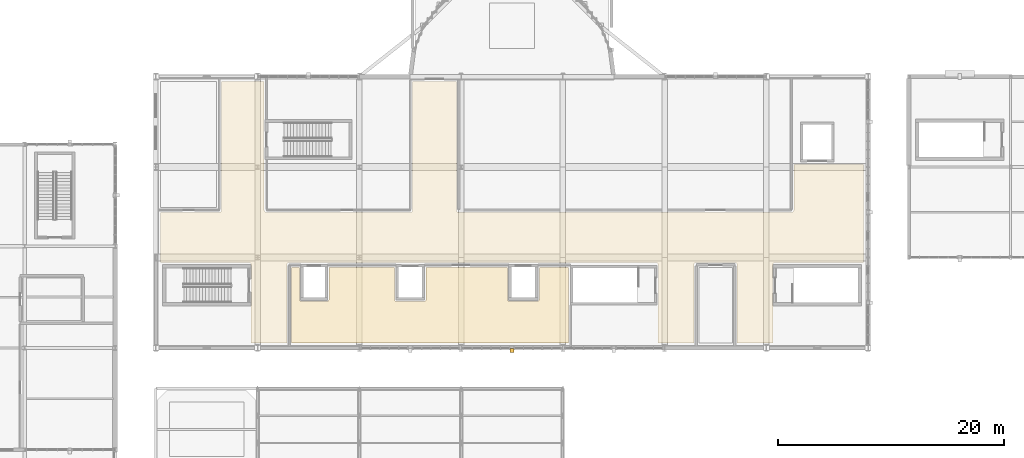
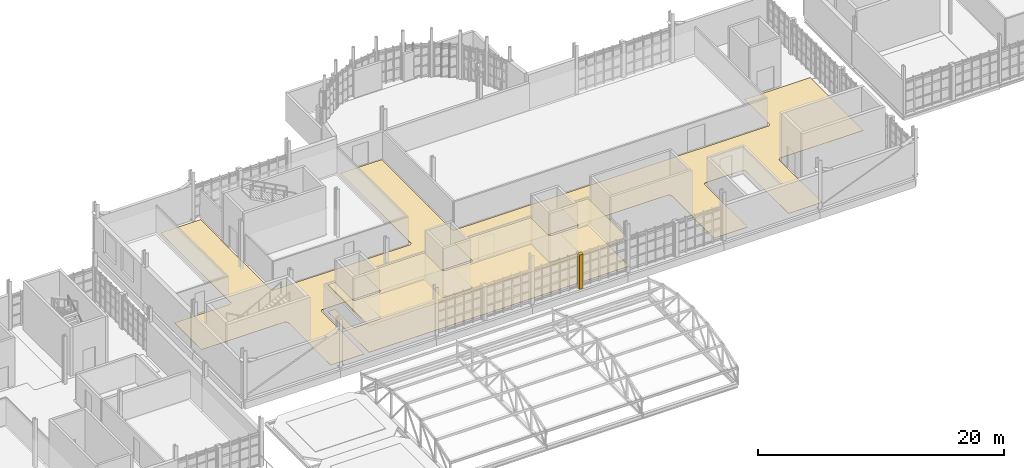
# One storey, part 123 of 128: 4 coverings.
"""IFC4 building model written with IfcOpenShell, lengths in metres."""

import ifcopenshell
import ifcopenshell.guid

model = None  # the IFC model being written
_history = None  # IfcOwnerHistory: only IFC2X3 demands one
_inside = {}  # id of a spatial element -> (the spatial element, [elements in it])
_under = {}  # id of a project, library or spatial element -> (it, [spatial elements below it])
_declared = {}  # id of a project -> (the project, [libraries it declares])
_typed = {}  # id of a type object -> (the type object, [elements of that type])
_made_of = {}  # id of a material, layer set ... -> (it, [elements and type objects made of it])


def new_model(schema):
    """Start an empty IFC model of exactly this schema.

    Asked for "IFC4X3", IfcOpenShell would pick the latest addendum, in which some entities
    have other attributes; the version numbers below select the first issue.
    IFC2X3 requires an IfcOwnerHistory on every rooted entity: one is made here for all.
    """
    global model, _history
    if schema == "IFC4X3":
        model = ifcopenshell.file(schema_version=(4, 3, 0, 0))
    else:
        model = ifcopenshell.file(schema=schema)
    _inside.clear()
    _under.clear()
    _declared.clear()
    _typed.clear()
    _made_of.clear()
    _history = None
    if model.schema == "IFC2X3":
        org = make("IfcOrganization", Name="unknown")
        user = make(
            "IfcPersonAndOrganization",
            ThePerson=make("IfcPerson", FamilyName="unknown"),
            TheOrganization=org,
        )
        app = make(
            "IfcApplication",
            ApplicationDeveloper=org,
            Version="unknown",
            ApplicationFullName="unknown",
            ApplicationIdentifier="unknown",
        )
        _history = make(
            "IfcOwnerHistory",
            OwningUser=user,
            OwningApplication=app,
            ChangeAction="ADDED",
            CreationDate=0,
        )
    return model


def make(cls, **values):
    """One entity of the class cls with the attributes given. An attribute that is None is left unset."""
    return model.create_entity(
        cls, **{name: value for name, value in values.items() if value is not None}
    )


def rooted(cls, **values):
    """An entity with a GlobalId (a new one), such as an element, a storey or a relation."""
    return make(cls, GlobalId=ifcopenshell.guid.new(), OwnerHistory=_history, **values)


def si_unit(unit_type, name, prefix=None):
    """IfcSIUnit, for example si_unit("LENGTHUNIT", "METRE", prefix="MILLI")."""
    return make("IfcSIUnit", UnitType=unit_type, Prefix=prefix, Name=name)


def assignment(units):
    """IfcUnitAssignment: the units of a project."""
    return None if units is None else make("IfcUnitAssignment", Units=units)


def point(xyz):
    """IfcCartesianPoint."""
    return None if xyz is None else make("IfcCartesianPoint", Coordinates=xyz)


def direction(xyz):
    """IfcDirection."""
    return None if xyz is None else make("IfcDirection", DirectionRatios=xyz)


def frame(location, z_axis=None, x_axis=None):
    """IfcAxis2Placement3D, a coordinate frame: its origin and axes. An axis left out is left unset."""
    return make(
        "IfcAxis2Placement3D",
        Location=point(location),
        Axis=direction(z_axis),
        RefDirection=direction(x_axis),
    )


def origin():
    """The frame at (0, 0, 0) with its axes left unset."""
    return frame((0.0, 0.0, 0.0))


def place(relative_to, where):
    """IfcLocalPlacement: puts the frame where relative to a parent placement (None: the world)."""
    return make(
        "IfcLocalPlacement", PlacementRelTo=relative_to, RelativePlacement=where
    )


def context(
    kind, dimensions, precision=None, world=None, true_north=None, identifier=None
):
    """IfcGeometricRepresentationContext, for example the 3D "Model" context."""
    return make(
        "IfcGeometricRepresentationContext",
        ContextIdentifier=identifier,
        ContextType=kind,
        CoordinateSpaceDimension=dimensions,
        Precision=precision,
        WorldCoordinateSystem=world,
        TrueNorth=true_north,
    )


def subcontext(parent, identifier, kind, view, scale=None):
    """IfcGeometricRepresentationSubContext, for example "Body" below "Model"."""
    return make(
        "IfcGeometricRepresentationSubContext",
        ContextIdentifier=identifier,
        ContextType=kind,
        ParentContext=parent,
        TargetScale=scale,
        TargetView=view,
    )


def project(units=None, contexts=None):
    """IfcProject with its units and contexts."""
    return rooted(
        "IfcProject",
        Name="project",
        RepresentationContexts=contexts,
        UnitsInContext=assignment(units),
    )


def spatial(cls, under=None, at=None, **own):
    """A site, building, storey or space (cls), placed at a placement, below another one or the project."""
    s = rooted(cls, ObjectPlacement=at, **own)
    if under is not None:
        _under.setdefault(under.id(), (under, []))[1].append(s)
    return s


def polyline(points):
    """IfcPolyline through the points."""
    return make("IfcPolyline", Points=[point(p) for p in points])


def outline(outer, holes=None, kind="AREA"):
    """IfcArbitraryClosedProfileDef: a profile drawn as a closed curve; with holes, ...WithVoids."""
    if holes is None:
        return make("IfcArbitraryClosedProfileDef", ProfileType=kind, OuterCurve=outer)
    return make(
        "IfcArbitraryProfileDefWithVoids",
        ProfileType=kind,
        OuterCurve=outer,
        InnerCurves=holes,
    )


def extrude(swept, where, along, depth):
    """IfcExtrudedAreaSolid: the profile swept, set in the frame where, extruded along a direction by depth."""
    return make(
        "IfcExtrudedAreaSolid",
        SweptArea=swept,
        Position=where,
        ExtrudedDirection=direction(along),
        Depth=depth,
    )


def shape(context_of_items, identifier, shape_type, items):
    """IfcShapeRepresentation: the items that make up one representation, for example the "Body"."""
    return make(
        "IfcShapeRepresentation",
        ContextOfItems=context_of_items,
        RepresentationIdentifier=identifier,
        RepresentationType=shape_type,
        Items=items,
    )


def material(Name=None, Category=None):
    """IfcMaterial."""
    return make("IfcMaterial", Name=Name, Category=Category)


def layer(
    of_material, thickness, ventilated=None, Name=None, Category=None, Priority=None
):
    """IfcMaterialLayer: one layer of a wall or slab, of a material (None: an air gap)."""
    return make(
        "IfcMaterialLayer",
        Material=of_material,
        LayerThickness=thickness,
        IsVentilated=ventilated,
        Name=Name,
        Category=Category,
        Priority=Priority,
    )


def layer_set(layers, Name=None):
    """IfcMaterialLayerSet."""
    return make("IfcMaterialLayerSet", MaterialLayers=layers, LayerSetName=Name)


def made_of(thing, what):
    """Note that an element or type object is made of a material, layer set ...; save() writes the relation."""
    if what is not None:
        _made_of.setdefault(what.id(), (what, []))[1].append(thing)
    return thing


def type_object(cls, material=None, **own):
    """A type object (cls), such as IfcWallType, which elements share."""
    return made_of(rooted(cls, **own), material)


def element(
    cls,
    number,
    at=None,
    inside=None,
    cuts=None,
    type_object=None,
    material=None,
    context=None,
    identifier="Body",
    shape_type=None,
    held_by="IfcProductDefinitionShape",
    body=None,
    shapes=None,
    **own,
):
    """One element of the class cls, such as IfcWall. Its Tag is "e" and its number.

    at: its placement. inside: the storey or other place that contains it. cuts: it is an
    opening in that element (IfcRelVoidsElement). A single representation is given by context,
    identifier, shape_type and body (its items); several are given by shapes. held_by: the class
    of the entity that holds the representations. save() writes the other relations.
    """
    e = rooted(cls, Tag="e%d" % number, ObjectPlacement=at, **own)
    if body is not None:
        shapes = [shape(context, identifier, shape_type, body)]
    if shapes is not None:
        e.Representation = make(held_by, Representations=shapes)
    if inside is not None:
        _inside.setdefault(inside.id(), (inside, []))[1].append(e)
    if cuts is not None:
        rooted(
            "IfcRelVoidsElement", RelatingBuildingElement=cuts, RelatedOpeningElement=e
        )
    if type_object is not None:
        _typed.setdefault(type_object.id(), (type_object, []))[1].append(e)
    return made_of(e, material)


def aggregate(whole, parts):
    """IfcRelAggregates: a whole, such as a stair, and the parts it consists of."""
    return rooted("IfcRelAggregates", RelatingObject=whole, RelatedObjects=parts)


def save(model, path):
    """Write the relations noted so far, then the file.

    IfcRelAggregates (storeys below a building ...), IfcRelContainedInSpatialStructure (elements
    in a storey), IfcRelDefinesByType, IfcRelAssociatesMaterial and IfcRelDeclares: one each for
    every whole, place, type object, material and project.
    """
    for whole, parts in _under.values():
        aggregate(whole, parts)
    for where, things in _inside.values():
        rooted(
            "IfcRelContainedInSpatialStructure",
            RelatedElements=things,
            RelatingStructure=where,
        )
    for kind, things in _typed.values():
        rooted("IfcRelDefinesByType", RelatedObjects=things, RelatingType=kind)
    for what, things in _made_of.values():
        rooted("IfcRelAssociatesMaterial", RelatedObjects=things, RelatingMaterial=what)
    for by, libraries in _declared.values():
        rooted("IfcRelDeclares", RelatingContext=by, RelatedDefinitions=libraries)
    model.write(path)


model = new_model("IFC4")

# Units and contexts
model_context = context("Model", 3, precision=1e-05, world=origin(), true_north=direction((0.0, 1.0)))
body_context = subcontext(model_context, "Body", "Model", "MODEL_VIEW")
ifc_project = project(units=[si_unit("LENGTHUNIT", "METRE"), si_unit("AREAUNIT", "SQUARE_METRE"), si_unit("VOLUMEUNIT", "CUBIC_METRE"), si_unit("PLANEANGLEUNIT", "RADIAN"), si_unit("MASSUNIT", "GRAM", prefix="KILO")], contexts=[model_context])

# Site, building, storey
site_placement = place(None, origin())
site = spatial("IfcSite", under=ifc_project, at=site_placement, CompositionType="ELEMENT")
building_placement = place(site_placement, origin())
building = spatial("IfcBuilding", under=site, at=building_placement, Name="Serraforn Aerial Cableway Station", CompositionType="ELEMENT")
storey_placement = place(building_placement, frame((0.0, 0.0, 9.0)))
storey = spatial("IfcBuildingStorey", under=building, at=storey_placement, Name="L02", CompositionType="ELEMENT", Elevation=9.0)

# Coverings
ifc_material_1 = material(Name="Fluted patinated bronze Art Deco pilaster cladding")
ifc_layer_1 = layer(ifc_material_1, 0.034912109375)
ifc_layer_set_1 = layer_set([ifc_layer_1], Name="Fluted patinated bronze Art Deco pilaster cladding")
covering_type_1 = type_object("IfcCoveringType", Name="COV-CLAD-BRZ", PredefinedType="CLADDING", material=ifc_layer_set_1)
covering_1_placement = place(storey_placement, origin())
element("IfcCovering", 1, at=covering_1_placement, inside=storey, type_object=covering_type_1, Name="Art Deco Bronze Pilaster Cladding CV-L02-S4", PredefinedType="CLADDING", context=body_context, shape_type="SweptSolid", body=[
    extrude(outline(polyline([(58.93994140625, 17.6201171875), (59.260009765625, 17.6201171875), (59.260009765625, 17.93994140625), (58.93994140625, 17.93994140625), (58.93994140625, 17.6201171875)])), origin(), (0.0, 0.0, 1.0), 3.419921875),
])
ifc_material_2 = material(Name="Perforated acoustic mineral ceiling")
ifc_layer_2 = layer(ifc_material_2, 0.02490234375)
ifc_layer_set_2 = layer_set([ifc_layer_2], Name="Perforated acoustic mineral ceiling")
covering_type_2 = type_object("IfcCoveringType", Name="COV-CLG-AC", PredefinedType="CEILING", material=ifc_layer_set_2)
covering_2_placement = place(storey_placement, frame((0.0, 0.0, 2.659912109375)))
element("IfcCovering", 2, at=covering_2_placement, inside=storey, type_object=covering_type_2, Name="Suspended Ceiling L02-07", PredefinedType="CEILING", context=body_context, shape_type="SweptSolid", body=[
    extrude(outline(polyline([(39.6201171875, 18.419921875), (39.6201171875, 25.1298828125), (40.2900390625, 25.1298828125), (40.2900390625, 22.31005859375), (40.291015625, 22.288330078125), (40.294189453125, 22.26708984375), (40.299560546875, 22.24609375), (40.306640625, 22.225830078125), (40.31591796875, 22.206298828125), (40.3271484375, 22.187744140625), (40.33984375, 22.17041015625), (40.3544921875, 22.154296875), (40.370361328125, 22.139892578125), (40.3876953125, 22.127197265625), (40.40625, 22.115966796875), (40.42578125, 22.106689453125), (40.446044921875, 22.099609375), (40.467041015625, 22.09423828125), (40.48828125, 22.091064453125), (40.510009765625, 22.090087890625), (42.68994140625, 22.090087890625), (42.711669921875, 22.091064453125), (42.73291015625, 22.09423828125), (42.75390625, 22.099609375), (42.774169921875, 22.106689453125), (42.793701171875, 22.115966796875), (42.812255859375, 22.127197265625), (42.82958984375, 22.139892578125), (42.845703125, 22.154296875), (42.860107421875, 22.17041015625), (42.872802734375, 22.187744140625), (42.884033203125, 22.206298828125), (42.893310546875, 22.225830078125), (42.900390625, 22.24609375), (42.90576171875, 22.26708984375), (42.908935546875, 22.288330078125), (42.909912109375, 22.31005859375), (42.909912109375, 25.1298828125), (48.68994140625, 25.1298828125), (48.68994140625, 22.31005859375), (48.691162109375, 22.288330078125), (48.694091796875, 22.26708984375), (48.699462890625, 22.24609375), (48.706787109375, 22.225830078125), (48.716064453125, 22.206298828125), (48.72705078125, 22.187744140625), (48.739990234375, 22.17041015625), (48.75439453125, 22.154296875), (48.7705078125, 22.139892578125), (48.787841796875, 22.127197265625), (48.806396484375, 22.115966796875), (48.82568359375, 22.106689453125), (48.84619140625, 22.099609375), (48.8671875, 22.09423828125), (48.888427734375, 22.091064453125), (48.909912109375, 22.090087890625), (51.2900390625, 22.090087890625), (51.3115234375, 22.091064453125), (51.3330078125, 22.09423828125), (51.35400390625, 22.099609375), (51.374267578125, 22.106689453125), (51.393798828125, 22.115966796875), (51.412109375, 22.127197265625), (51.4296875, 22.139892578125), (51.445556640625, 22.154296875), (51.460205078125, 22.17041015625), (51.472900390625, 22.187744140625), (51.48388671875, 22.206298828125), (51.493408203125, 22.225830078125), (51.50048828125, 22.24609375), (51.505859375, 22.26708984375), (51.5087890625, 22.288330078125), (51.510009765625, 22.31005859375), (51.510009765625, 25.1298828125), (58.68994140625, 25.1298828125), (58.68994140625, 22.31005859375), (58.691162109375, 22.288330078125), (58.694091796875, 22.26708984375), (58.699462890625, 22.24609375), (58.706787109375, 22.225830078125), (58.716064453125, 22.206298828125), (58.72705078125, 22.187744140625), (58.739990234375, 22.17041015625), (58.75439453125, 22.154296875), (58.7705078125, 22.139892578125), (58.787841796875, 22.127197265625), (58.806396484375, 22.115966796875), (58.82568359375, 22.106689453125), (58.84619140625, 22.099609375), (58.8671875, 22.09423828125), (58.888427734375, 22.091064453125), (58.909912109375, 22.090087890625), (61.2900390625, 22.090087890625), (61.3115234375, 22.091064453125), (61.3330078125, 22.09423828125), (61.35400390625, 22.099609375), (61.374267578125, 22.106689453125), (61.393798828125, 22.115966796875), (61.412109375, 22.127197265625), (61.4296875, 22.139892578125), (61.445556640625, 22.154296875), (61.460205078125, 22.17041015625), (61.472900390625, 22.187744140625), (61.48388671875, 22.206298828125), (61.493408203125, 22.225830078125), (61.50048828125, 22.24609375), (61.505859375, 22.26708984375), (61.5087890625, 22.288330078125), (61.510009765625, 22.31005859375), (61.510009765625, 25.1298828125), (64.080078125, 25.1298828125), (64.080078125, 18.419921875), (39.6201171875, 18.419921875)])), origin(), (0.0, 0.0, 1.0), 0.025146484375),
])
ifc_material_3 = material(Name="Honed Montjuic limestone flooring", Category="masonry")
ifc_layer_3 = layer(ifc_material_3, 0.030029296875)
ifc_layer_set_3 = layer_set([ifc_layer_3], Name="Honed Montjuic limestone flooring")
covering_type_3 = type_object("IfcCoveringType", Name="COV-FLR-STN", PredefinedType="FLOORING", material=ifc_layer_set_3)
covering_3_placement = place(storey_placement, origin())
element("IfcCovering", 3, at=covering_3_placement, inside=storey, type_object=covering_type_3, Name="Flooring L02-08", PredefinedType="FLOORING", context=body_context, shape_type="SweptSolid", body=[
    extrude(outline(polyline([(28.02001953125, 25.570068359375), (28.02001953125, 29.97998046875), (33.199951171875, 29.97998046875), (33.2216796875, 29.981201171875), (33.242919921875, 29.984130859375), (33.263916015625, 29.989501953125), (33.2841796875, 29.99658203125), (33.3037109375, 30.006103515625), (33.322265625, 30.01708984375), (33.339599609375, 30.02978515625), (33.355712890625, 30.04443359375), (33.3701171875, 30.060302734375), (33.3828125, 30.077880859375), (33.39404296875, 30.09619140625), (33.4033203125, 30.11572265625), (33.410400390625, 30.135986328125), (33.415771484375, 30.156982421875), (33.4189453125, 30.178466796875), (33.419921875, 30.199951171875), (33.419921875, 41.580078125), (37.179931640625, 41.580078125), (37.179931640625, 38.226318359375), (37.177001953125, 38.22216796875), (37.166015625, 38.20361328125), (37.15673828125, 38.18408203125), (37.1494140625, 38.163818359375), (37.144287109375, 38.142822265625), (37.14111328125, 38.12158203125), (37.139892578125, 38.10009765625), (37.139892578125, 34.760009765625), (37.14111328125, 34.73828125), (37.144287109375, 34.717041015625), (37.1494140625, 34.696044921875), (37.15673828125, 34.67578125), (37.166015625, 34.65625), (37.177001953125, 34.6376953125), (37.179931640625, 34.6337890625), (37.179931640625, 30.199951171875), (37.18115234375, 30.178466796875), (37.18408203125, 30.156982421875), (37.189453125, 30.135986328125), (37.19677734375, 30.11572265625), (37.2060546875, 30.09619140625), (37.217041015625, 30.077880859375), (37.22998046875, 30.060302734375), (37.244384765625, 30.04443359375), (37.260498046875, 30.02978515625), (37.27783203125, 30.01708984375), (37.29638671875, 30.006103515625), (37.31591796875, 29.99658203125), (37.336181640625, 29.989501953125), (37.357177734375, 29.984130859375), (37.37841796875, 29.981201171875), (37.39990234375, 29.97998046875), (50.10009765625, 29.97998046875), (50.12158203125, 29.981201171875), (50.142822265625, 29.984130859375), (50.163818359375, 29.989501953125), (50.18408203125, 29.99658203125), (50.20361328125, 30.006103515625), (50.22216796875, 30.01708984375), (50.239501953125, 30.02978515625), (50.255615234375, 30.04443359375), (50.27001953125, 30.060302734375), (50.282958984375, 30.077880859375), (50.2939453125, 30.09619140625), (50.30322265625, 30.11572265625), (50.310546875, 30.135986328125), (50.31591796875, 30.156982421875), (50.31884765625, 30.178466796875), (50.320068359375, 30.199951171875), (50.320068359375, 41.580078125), (54.179931640625, 41.580078125), (54.179931640625, 30.199951171875), (54.18115234375, 30.178466796875), (54.18408203125, 30.156982421875), (54.189453125, 30.135986328125), (54.19677734375, 30.11572265625), (54.2060546875, 30.09619140625), (54.217041015625, 30.077880859375), (54.22998046875, 30.060302734375), (54.244384765625, 30.04443359375), (54.260498046875, 30.02978515625), (54.27783203125, 30.01708984375), (54.29638671875, 30.006103515625), (54.31591796875, 29.99658203125), (54.336181640625, 29.989501953125), (54.357177734375, 29.984130859375), (54.37841796875, 29.981201171875), (54.39990234375, 29.97998046875), (83.800048828125, 29.97998046875), (83.821533203125, 29.981201171875), (83.843017578125, 29.984130859375), (83.864013671875, 29.989501953125), (83.88427734375, 29.99658203125), (83.90380859375, 30.006103515625), (83.922119140625, 30.01708984375), (83.939697265625, 30.02978515625), (83.95556640625, 30.04443359375), (83.97021484375, 30.060302734375), (83.98291015625, 30.077880859375), (83.993896484375, 30.09619140625), (84.00341796875, 30.11572265625), (84.010498046875, 30.135986328125), (84.015869140625, 30.156982421875), (84.018798828125, 30.178466796875), (84.02001953125, 30.199951171875), (84.02001953125, 34.22998046875), (90.179931640625, 34.22998046875), (90.179931640625, 25.570068359375), (82.39990234375, 25.570068359375), (82.37841796875, 25.56884765625), (82.357177734375, 25.56591796875), (82.336181640625, 25.560546875), (82.31591796875, 25.55322265625), (82.29638671875, 25.5439453125), (82.27783203125, 25.532958984375), (82.260498046875, 25.52001953125), (82.244384765625, 25.505615234375), (82.22998046875, 25.489501953125), (82.217041015625, 25.47216796875), (82.2060546875, 25.45361328125), (82.19677734375, 25.43408203125), (82.189453125, 25.413818359375), (82.18408203125, 25.392822265625), (82.18115234375, 25.37158203125), (82.179931640625, 25.35009765625), (82.179931640625, 25.326171875), (82.177001953125, 25.322265625), (82.166015625, 25.3037109375), (82.15673828125, 25.2841796875), (82.1494140625, 25.263916015625), (82.144287109375, 25.242919921875), (82.14111328125, 25.2216796875), (82.139892578125, 25.199951171875), (82.139892578125, 21.860107421875), (82.14111328125, 21.83837890625), (82.144287109375, 21.817138671875), (82.1494140625, 21.796142578125), (82.15673828125, 21.77587890625), (82.166015625, 21.75634765625), (82.177001953125, 21.73779296875), (82.179931640625, 21.73388671875), (82.179931640625, 18.419921875), (79.02001953125, 18.419921875), (79.02001953125, 25.35009765625), (79.018798828125, 25.37158203125), (79.015869140625, 25.392822265625), (79.010498046875, 25.413818359375), (79.00341796875, 25.43408203125), (78.993896484375, 25.45361328125), (78.98291015625, 25.47216796875), (78.97021484375, 25.489501953125), (78.95556640625, 25.505615234375), (78.939697265625, 25.52001953125), (78.922119140625, 25.532958984375), (78.90380859375, 25.5439453125), (78.88427734375, 25.55322265625), (78.864013671875, 25.560546875), (78.843017578125, 25.56591796875), (78.821533203125, 25.56884765625), (78.800048828125, 25.570068359375), (75.39990234375, 25.570068359375), (75.37841796875, 25.56884765625), (75.357177734375, 25.56591796875), (75.336181640625, 25.560546875), (75.31591796875, 25.55322265625), (75.29638671875, 25.5439453125), (75.27783203125, 25.532958984375), (75.260498046875, 25.52001953125), (75.244384765625, 25.505615234375), (75.22998046875, 25.489501953125), (75.217041015625, 25.47216796875), (75.2060546875, 25.45361328125), (75.19677734375, 25.43408203125), (75.189453125, 25.413818359375), (75.18408203125, 25.392822265625), (75.18115234375, 25.37158203125), (75.179931640625, 25.35009765625), (75.179931640625, 18.419921875), (72.02001953125, 18.419921875), (72.02001953125, 21.73388671875), (72.02294921875, 21.73779296875), (72.033935546875, 21.75634765625), (72.043212890625, 21.77587890625), (72.050537109375, 21.796142578125), (72.055908203125, 21.817138671875), (72.058837890625, 21.83837890625), (72.06005859375, 21.860107421875), (72.06005859375, 25.199951171875), (72.058837890625, 25.2216796875), (72.055908203125, 25.242919921875), (72.050537109375, 25.263916015625), (72.043212890625, 25.2841796875), (72.033935546875, 25.3037109375), (72.02294921875, 25.322265625), (72.02001953125, 25.326171875), (72.02001953125, 25.35009765625), (72.018798828125, 25.37158203125), (72.015869140625, 25.392822265625), (72.010498046875, 25.413818359375), (72.00341796875, 25.43408203125), (71.993896484375, 25.45361328125), (71.98291015625, 25.47216796875), (71.97021484375, 25.489501953125), (71.95556640625, 25.505615234375), (71.939697265625, 25.52001953125), (71.922119140625, 25.532958984375), (71.90380859375, 25.5439453125), (71.88427734375, 25.55322265625), (71.864013671875, 25.560546875), (71.843017578125, 25.56591796875), (71.821533203125, 25.56884765625), (71.800048828125, 25.570068359375), (39.39990234375, 25.570068359375), (39.37841796875, 25.56884765625), (39.357177734375, 25.56591796875), (39.336181640625, 25.560546875), (39.31591796875, 25.55322265625), (39.29638671875, 25.5439453125), (39.27783203125, 25.532958984375), (39.260498046875, 25.52001953125), (39.244384765625, 25.505615234375), (39.22998046875, 25.489501953125), (39.217041015625, 25.47216796875), (39.2060546875, 25.45361328125), (39.19677734375, 25.43408203125), (39.189453125, 25.413818359375), (39.18408203125, 25.392822265625), (39.18115234375, 25.37158203125), (39.179931640625, 25.35009765625), (39.179931640625, 18.419921875), (36.02001953125, 18.419921875), (36.02001953125, 21.73388671875), (36.02294921875, 21.73779296875), (36.033935546875, 21.75634765625), (36.043212890625, 21.77587890625), (36.050537109375, 21.796142578125), (36.055908203125, 21.817138671875), (36.058837890625, 21.83837890625), (36.06005859375, 21.860107421875), (36.06005859375, 25.199951171875), (36.058837890625, 25.2216796875), (36.055908203125, 25.242919921875), (36.050537109375, 25.263916015625), (36.043212890625, 25.2841796875), (36.033935546875, 25.3037109375), (36.02294921875, 25.322265625), (36.02001953125, 25.326171875), (36.02001953125, 25.35009765625), (36.018798828125, 25.37158203125), (36.015869140625, 25.392822265625), (36.010498046875, 25.413818359375), (36.00341796875, 25.43408203125), (35.993896484375, 25.45361328125), (35.98291015625, 25.47216796875), (35.97021484375, 25.489501953125), (35.95556640625, 25.505615234375), (35.939697265625, 25.52001953125), (35.922119140625, 25.532958984375), (35.90380859375, 25.5439453125), (35.88427734375, 25.55322265625), (35.864013671875, 25.560546875), (35.843017578125, 25.56591796875), (35.821533203125, 25.56884765625), (35.800048828125, 25.570068359375), (28.02001953125, 25.570068359375)])), origin(), (0.0, 0.0, 1.0), 0.030029296875),
])
covering_4_placement = place(storey_placement, origin())
element("IfcCovering", 4, at=covering_4_placement, inside=storey, type_object=covering_type_3, Name="Flooring L02-07", PredefinedType="FLOORING", context=body_context, shape_type="SweptSolid", body=[
    extrude(outline(polyline([(39.6201171875, 18.419921875), (39.6201171875, 25.1298828125), (40.2900390625, 25.1298828125), (40.2900390625, 22.31005859375), (40.291015625, 22.288330078125), (40.294189453125, 22.26708984375), (40.299560546875, 22.24609375), (40.306640625, 22.225830078125), (40.31591796875, 22.206298828125), (40.3271484375, 22.187744140625), (40.33984375, 22.17041015625), (40.3544921875, 22.154296875), (40.370361328125, 22.139892578125), (40.3876953125, 22.127197265625), (40.40625, 22.115966796875), (40.42578125, 22.106689453125), (40.446044921875, 22.099609375), (40.467041015625, 22.09423828125), (40.48828125, 22.091064453125), (40.510009765625, 22.090087890625), (42.68994140625, 22.090087890625), (42.711669921875, 22.091064453125), (42.73291015625, 22.09423828125), (42.75390625, 22.099609375), (42.774169921875, 22.106689453125), (42.793701171875, 22.115966796875), (42.812255859375, 22.127197265625), (42.82958984375, 22.139892578125), (42.845703125, 22.154296875), (42.860107421875, 22.17041015625), (42.872802734375, 22.187744140625), (42.884033203125, 22.206298828125), (42.893310546875, 22.225830078125), (42.900390625, 22.24609375), (42.90576171875, 22.26708984375), (42.908935546875, 22.288330078125), (42.909912109375, 22.31005859375), (42.909912109375, 25.1298828125), (48.68994140625, 25.1298828125), (48.68994140625, 22.31005859375), (48.691162109375, 22.288330078125), (48.694091796875, 22.26708984375), (48.699462890625, 22.24609375), (48.706787109375, 22.225830078125), (48.716064453125, 22.206298828125), (48.72705078125, 22.187744140625), (48.739990234375, 22.17041015625), (48.75439453125, 22.154296875), (48.7705078125, 22.139892578125), (48.787841796875, 22.127197265625), (48.806396484375, 22.115966796875), (48.82568359375, 22.106689453125), (48.84619140625, 22.099609375), (48.8671875, 22.09423828125), (48.888427734375, 22.091064453125), (48.909912109375, 22.090087890625), (51.2900390625, 22.090087890625), (51.3115234375, 22.091064453125), (51.3330078125, 22.09423828125), (51.35400390625, 22.099609375), (51.374267578125, 22.106689453125), (51.393798828125, 22.115966796875), (51.412109375, 22.127197265625), (51.4296875, 22.139892578125), (51.445556640625, 22.154296875), (51.460205078125, 22.17041015625), (51.472900390625, 22.187744140625), (51.48388671875, 22.206298828125), (51.493408203125, 22.225830078125), (51.50048828125, 22.24609375), (51.505859375, 22.26708984375), (51.5087890625, 22.288330078125), (51.510009765625, 22.31005859375), (51.510009765625, 25.1298828125), (58.68994140625, 25.1298828125), (58.68994140625, 22.31005859375), (58.691162109375, 22.288330078125), (58.694091796875, 22.26708984375), (58.699462890625, 22.24609375), (58.706787109375, 22.225830078125), (58.716064453125, 22.206298828125), (58.72705078125, 22.187744140625), (58.739990234375, 22.17041015625), (58.75439453125, 22.154296875), (58.7705078125, 22.139892578125), (58.787841796875, 22.127197265625), (58.806396484375, 22.115966796875), (58.82568359375, 22.106689453125), (58.84619140625, 22.099609375), (58.8671875, 22.09423828125), (58.888427734375, 22.091064453125), (58.909912109375, 22.090087890625), (61.2900390625, 22.090087890625), (61.3115234375, 22.091064453125), (61.3330078125, 22.09423828125), (61.35400390625, 22.099609375), (61.374267578125, 22.106689453125), (61.393798828125, 22.115966796875), (61.412109375, 22.127197265625), (61.4296875, 22.139892578125), (61.445556640625, 22.154296875), (61.460205078125, 22.17041015625), (61.472900390625, 22.187744140625), (61.48388671875, 22.206298828125), (61.493408203125, 22.225830078125), (61.50048828125, 22.24609375), (61.505859375, 22.26708984375), (61.5087890625, 22.288330078125), (61.510009765625, 22.31005859375), (61.510009765625, 25.1298828125), (64.080078125, 25.1298828125), (64.080078125, 18.419921875), (39.6201171875, 18.419921875)])), origin(), (0.0, 0.0, 1.0), 0.030029296875),
])

save(model, "model.ifc")
